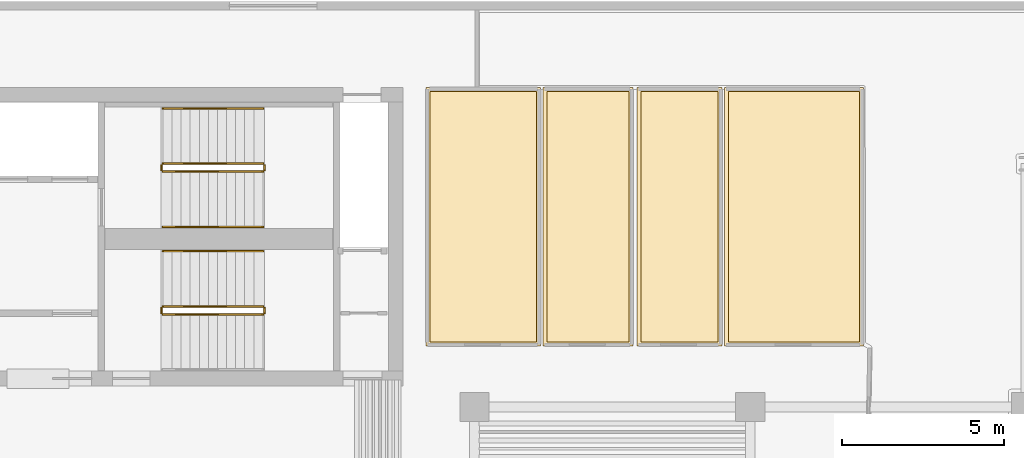
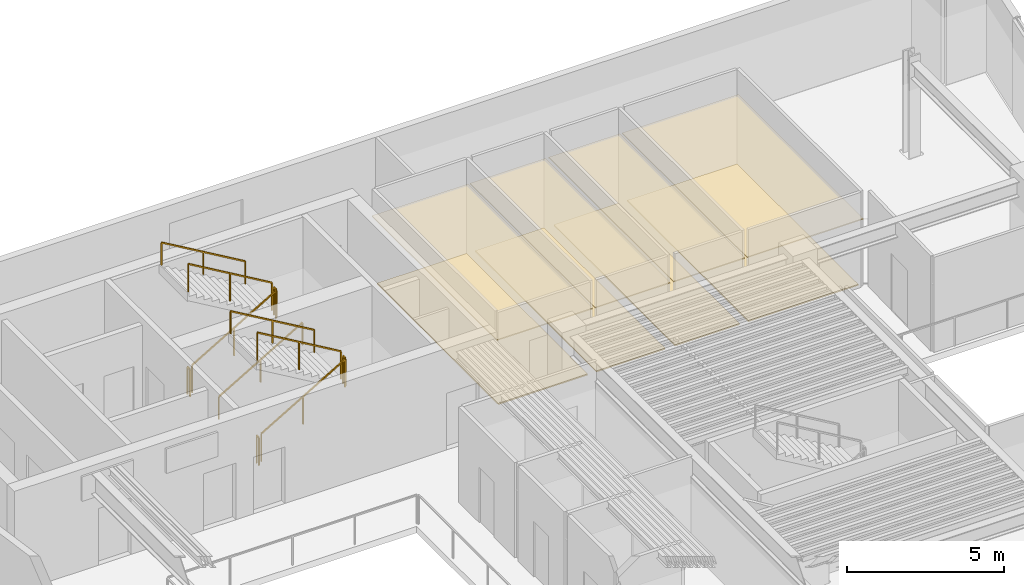
# One storey, part 9 of 10: 11 railings, 8 coverings.
"""IFC4 building model written with IfcOpenShell, lengths in metres."""

from ifc_helpers import new_model, si_unit, direction, frame, origin, origin_2d, place, context, subcontext, project, spatial, polyline, rectangle, outline, extrude, material, layer, layer_set, type_object, element, save


model = new_model("IFC4")

# Units and contexts
model_context = context("Model", 3, precision=1e-05, world=origin(), true_north=direction((0.0, 1.0)))
body_context = subcontext(model_context, "Body", "Model", "MODEL_VIEW")
ifc_project = project(units=[si_unit("LENGTHUNIT", "METRE"), si_unit("AREAUNIT", "SQUARE_METRE"), si_unit("VOLUMEUNIT", "CUBIC_METRE"), si_unit("PLANEANGLEUNIT", "RADIAN"), si_unit("MASSUNIT", "GRAM", prefix="KILO")], contexts=[model_context])

# Site, building, storey
site_placement = place(None, origin())
site = spatial("IfcSite", under=ifc_project, at=site_placement, CompositionType="ELEMENT")
building_placement = place(site_placement, origin())
building = spatial("IfcBuilding", under=site, at=building_placement, Name="Caeloran Harvest Quay", CompositionType="ELEMENT")
storey_placement = place(building_placement, frame((0.0, 0.0, 187.699951171875)))
storey = spatial("IfcBuildingStorey", under=building, at=storey_placement, Name="L44", CompositionType="ELEMENT", Elevation=187.699951171875)

# Coverings
ifc_material_1 = material(Name="Perforated Mineral-Fibre Acoustic Ceiling Tile", Category="ceiling")
ifc_layer_1 = layer(ifc_material_1, 0.0400390625, Name="Perforated Mineral-Fibre Acoustic Ceiling Tile")
ifc_layer_set_1 = layer_set([ifc_layer_1], Name="Perforated Mineral-Fibre Acoustic Ceiling Tile")
covering_type_1 = type_object("IfcCoveringType", Name="COV-CEILING-ACOUSTIC", PredefinedType="CEILING", material=ifc_layer_set_1)
covering_1_placement = place(storey_placement, frame((0.0, 0.0, 2.60009765625)))
element("IfcCovering", 1, at=covering_1_placement, inside=storey, type_object=covering_type_1, Name="L44 Bioinformatics Briefing Lounge Acoustic Ceiling", PredefinedType="CEILING", context=body_context, shape_type="SweptSolid", body=[
    extrude(outline(polyline([(27.5400390625, 40.840087890625), (27.5400390625, 32.8798828125), (24.010009765625, 32.8798828125), (24.010009765625, 40.840087890625), (27.5400390625, 40.840087890625)])), origin(), (0.0, 0.0, 1.0), 0.0400390625),
])
covering_2_placement = place(storey_placement, frame((0.0, 0.0, 2.60009765625)))
element("IfcCovering", 2, at=covering_2_placement, inside=storey, type_object=covering_type_1, Name="L44 Seed Imaging Laboratory Acoustic Ceiling", PredefinedType="CEILING", context=body_context, shape_type="SweptSolid", body=[
    extrude(outline(polyline([(30.389892578125, 40.840087890625), (30.389892578125, 32.8798828125), (27.6201171875, 32.8798828125), (27.6201171875, 40.840087890625), (30.389892578125, 40.840087890625)])), origin(), (0.0, 0.0, 1.0), 0.0400390625),
])
covering_3_placement = place(storey_placement, frame((0.0, 0.0, 2.60009765625)))
element("IfcCovering", 3, at=covering_3_placement, inside=storey, type_object=covering_type_1, Name="L44 Genomics Seminar West Room Acoustic Ceiling", PredefinedType="CEILING", context=body_context, shape_type="SweptSolid", body=[
    extrude(outline(polyline([(33.1298828125, 40.840087890625), (33.1298828125, 32.8798828125), (30.510009765625, 32.8798828125), (30.510009765625, 40.840087890625), (33.1298828125, 40.840087890625)])), origin(), (0.0, 0.0, 1.0), 0.0400390625),
])
covering_4_placement = place(storey_placement, frame((0.0, 0.0, 2.60009765625)))
element("IfcCovering", 4, at=covering_4_placement, inside=storey, type_object=covering_type_1, Name="L44 Executive Archive East Studio Acoustic Ceiling", PredefinedType="CEILING", context=body_context, shape_type="SweptSolid", body=[
    extrude(outline(polyline([(37.489990234375, 40.840087890625), (37.489990234375, 32.8798828125), (33.2099609375, 32.8798828125), (33.2099609375, 40.840087890625), (37.489990234375, 40.840087890625)])), origin(), (0.0, 0.0, 1.0), 0.0400390625),
])
ifc_material_2 = material(Name="Calcium-Sulphate Raised Access Floor and Terrazzo Finish", Category="flooring")
ifc_layer_2 = layer(ifc_material_2, 0.050048828125, Name="Calcium-Sulphate Raised Access Floor and Terrazzo Finish")
ifc_layer_set_2 = layer_set([ifc_layer_2], Name="Calcium-Sulphate Raised Access Floor and Terrazzo Finish")
covering_type_2 = type_object("IfcCoveringType", Name="COV-FLOOR-RAISED", PredefinedType="FLOORING", material=ifc_layer_set_2)
covering_5_placement = place(storey_placement, origin())
element("IfcCovering", 5, at=covering_5_placement, inside=storey, type_object=covering_type_2, Name="L44 Bioinformatics Briefing Lounge Raised Finish Flooring", PredefinedType="FLOORING", context=body_context, shape_type="SweptSolid", body=[
    extrude(outline(polyline([(27.419921875, 40.719970703125), (27.419921875, 33.0), (24.1298828125, 33.0), (24.1298828125, 40.719970703125), (27.419921875, 40.719970703125)])), origin(), (0.0, 0.0, 1.0), 0.050048828125),
])
covering_6_placement = place(storey_placement, origin())
element("IfcCovering", 6, at=covering_6_placement, inside=storey, type_object=covering_type_2, Name="L44 Seed Imaging Laboratory Raised Finish Flooring", PredefinedType="FLOORING", context=body_context, shape_type="SweptSolid", body=[
    extrude(outline(polyline([(30.27001953125, 40.719970703125), (30.27001953125, 33.0), (27.739990234375, 33.0), (27.739990234375, 40.719970703125), (30.27001953125, 40.719970703125)])), origin(), (0.0, 0.0, 1.0), 0.050048828125),
])
covering_7_placement = place(storey_placement, origin())
element("IfcCovering", 7, at=covering_7_placement, inside=storey, type_object=covering_type_2, Name="L44 Genomics Seminar West Room Raised Finish Flooring", PredefinedType="FLOORING", context=body_context, shape_type="SweptSolid", body=[
    extrude(outline(polyline([(33.010009765625, 40.719970703125), (33.010009765625, 33.0), (30.6298828125, 33.0), (30.6298828125, 40.719970703125), (33.010009765625, 40.719970703125)])), origin(), (0.0, 0.0, 1.0), 0.050048828125),
])
covering_8_placement = place(storey_placement, origin())
element("IfcCovering", 8, at=covering_8_placement, inside=storey, type_object=covering_type_2, Name="L44 Executive Archive East Studio Raised Finish Flooring", PredefinedType="FLOORING", context=body_context, shape_type="SweptSolid", body=[
    extrude(outline(polyline([(37.3701171875, 40.719970703125), (37.3701171875, 33.0), (33.330078125, 33.0), (33.330078125, 40.719970703125), (37.3701171875, 40.719970703125)])), origin(), (0.0, 0.0, 1.0), 0.050048828125),
])

# Railings
ifc_material_3 = material(Name="Painted Steel Baluster and Top-Rail Stair Guard", Category="steel")
ifc_layer_3 = layer(ifc_material_3, 0.050048828125, Name="Painted Steel Baluster and Top-Rail Stair Guard")
ifc_layer_set_3 = layer_set([ifc_layer_3], Name="Painted Steel Baluster and Top-Rail Stair Guard")
railing_type_1 = type_object("IfcRailingType", Name="STAIR-GUARD-1100", PredefinedType="GUARDRAIL", material=ifc_layer_set_3)
railing_1_placement = place(storey_placement, frame((15.89990234375, 38.25, 0.16455078125)))
element("IfcRailing", 9, at=railing_1_placement, inside=storey, type_object=railing_type_1, Name="L44 ST-C1 stair guard 1", PredefinedType="GUARDRAIL", context=body_context, shape_type="SweptSolid", body=[
    extrude(rectangle(XDim=0.048095703125, YDim=0.048095703125, at=origin_2d()), frame((0.0, 0.0, 1.076171875), z_axis=(0.862088758681, 0.0, 0.506757310905), x_axis=(0.0, 1.0, 0.0)), (0.0, 0.0, 1.0), 3.57275390625),
    extrude(rectangle(XDim=0.0419921875, YDim=0.0419921875, at=origin_2d()), origin(), (0.0, 0.0, 1.0), 1.052001953125),
    extrude(rectangle(XDim=0.0419921875, YDim=0.0419921875, at=origin_2d()), frame((1.5400390625, 0.0, 0.9052734375)), (0.0, 0.0, 1.0), 1.052001953125),
    extrude(rectangle(XDim=0.0419921875, YDim=0.0419921875, at=origin_2d()), frame((3.080078125, 0.0, 1.810546875)), (0.0, 0.0, 1.0), 1.052001953125),
])
railing_2_placement = place(storey_placement, frame((19.030029296875, 38.300048828125, 1.97509765625)))
element("IfcRailing", 10, at=railing_2_placement, inside=storey, type_object=railing_type_1, Name="L44 ST-C1 stair guard 2", PredefinedType="GUARDRAIL", context=body_context, shape_type="SweptSolid", body=[
    extrude(rectangle(XDim=0.048095703125, YDim=0.048095703125, at=origin_2d()), frame((0.0, 0.0, 1.076171875), z_axis=(0.0, 1.0, 0.0), x_axis=(-1.0, 0.0, 0.0)), (0.0, 0.0, 1.0), 0.14990234375),
    extrude(rectangle(XDim=0.0419921875, YDim=0.0419921875, at=origin_2d()), origin(), (0.0, 0.0, 1.0), 1.052001953125),
    extrude(rectangle(XDim=0.0419921875, YDim=0.0419921875, at=origin_2d()), frame((0.0, 0.14990234375, 0.0)), (0.0, 0.0, 1.0), 1.052001953125),
])
railing_3_placement = place(storey_placement, frame((18.97998046875, 38.5, 2.1396484375)))
element("IfcRailing", 11, at=railing_3_placement, inside=storey, type_object=railing_type_1, Name="L44 ST-C1 stair guard 3", PredefinedType="GUARDRAIL", context=body_context, shape_type="SweptSolid", body=[
    extrude(rectangle(XDim=0.048095703125, YDim=0.048095703125, at=origin_2d()), frame((0.0, 0.0, 1.076171875), z_axis=(-0.862118610829, 0.0, 0.506706523406), x_axis=(0.0, -1.0, 0.0)), (0.0, 0.0, 1.0), 3.57275390625),
    extrude(rectangle(XDim=0.0419921875, YDim=0.0419921875, at=origin_2d()), origin(), (0.0, 0.0, 1.0), 1.052001953125),
    extrude(rectangle(XDim=0.0419921875, YDim=0.0419921875, at=origin_2d()), frame((-1.5400390625, 0.0, 0.9052734375)), (0.0, 0.0, 1.0), 1.052001953125),
    extrude(rectangle(XDim=0.0419921875, YDim=0.0419921875, at=origin_2d()), frame((-3.080078125, 0.0, 1.810302734375)), (0.0, 0.0, 1.0), 1.052001953125),
])
railing_4_placement = place(storey_placement, frame((15.85009765625, 38.300048828125, 0.0)))
element("IfcRailing", 12, at=railing_4_placement, inside=storey, type_object=railing_type_1, Name="L44 ST-C1 stair guard 4", PredefinedType="GUARDRAIL", context=body_context, shape_type="SweptSolid", body=[
    extrude(rectangle(XDim=0.048095703125, YDim=0.048095703125, at=origin_2d()), frame((0.0, 0.0, 1.076171875), z_axis=(0.0, 1.0, 0.0), x_axis=(-1.0, 0.0, 0.0)), (0.0, 0.0, 1.0), 0.14990234375),
    extrude(rectangle(XDim=0.0419921875, YDim=0.0419921875, at=origin_2d()), origin(), (0.0, 0.0, 1.0), 1.052001953125),
    extrude(rectangle(XDim=0.0419921875, YDim=0.0419921875, at=origin_2d()), frame((0.0, 0.14990234375, 0.0)), (0.0, 0.0, 1.0), 1.052001953125),
])
railing_5_placement = place(storey_placement, frame((15.89990234375, 33.85009765625, 0.16455078125)))
element("IfcRailing", 13, at=railing_5_placement, inside=storey, type_object=railing_type_1, Name="L44 ST-C2 stair guard 1", PredefinedType="GUARDRAIL", context=body_context, shape_type="SweptSolid", body=[
    extrude(rectangle(XDim=0.048095703125, YDim=0.048095703125, at=origin_2d()), frame((0.0, 0.0, 1.076171875), z_axis=(0.862088758681, 0.0, 0.506757310905), x_axis=(0.0, 1.0, 0.0)), (0.0, 0.0, 1.0), 3.57275390625),
    extrude(rectangle(XDim=0.0419921875, YDim=0.0419921875, at=origin_2d()), origin(), (0.0, 0.0, 1.0), 1.052001953125),
    extrude(rectangle(XDim=0.0419921875, YDim=0.0419921875, at=origin_2d()), frame((1.5400390625, 0.0, 0.9052734375)), (0.0, 0.0, 1.0), 1.052001953125),
    extrude(rectangle(XDim=0.0419921875, YDim=0.0419921875, at=origin_2d()), frame((3.080078125, 0.0, 1.810546875)), (0.0, 0.0, 1.0), 1.052001953125),
])
railing_6_placement = place(storey_placement, frame((19.030029296875, 33.89990234375, 1.97509765625)))
element("IfcRailing", 14, at=railing_6_placement, inside=storey, type_object=railing_type_1, Name="L44 ST-C2 stair guard 2", PredefinedType="GUARDRAIL", context=body_context, shape_type="SweptSolid", body=[
    extrude(rectangle(XDim=0.048095703125, YDim=0.048095703125, at=origin_2d()), frame((0.0, 0.0, 1.076171875), z_axis=(0.0, 1.0, 0.0), x_axis=(-1.0, 0.0, 0.0)), (0.0, 0.0, 1.0), 0.150146484375),
    extrude(rectangle(XDim=0.0419921875, YDim=0.0419921875, at=origin_2d()), origin(), (0.0, 0.0, 1.0), 1.052001953125),
    extrude(rectangle(XDim=0.0419921875, YDim=0.0419921875, at=origin_2d()), frame((0.0, 0.150146484375, 0.0)), (0.0, 0.0, 1.0), 1.052001953125),
])
railing_7_placement = place(storey_placement, frame((18.97998046875, 34.10009765625, 2.1396484375)))
element("IfcRailing", 15, at=railing_7_placement, inside=storey, type_object=railing_type_1, Name="L44 ST-C2 stair guard 3", PredefinedType="GUARDRAIL", context=body_context, shape_type="SweptSolid", body=[
    extrude(rectangle(XDim=0.048095703125, YDim=0.048095703125, at=origin_2d()), frame((0.0, 0.0, 1.076171875), z_axis=(-0.862118610829, 0.0, 0.506706523406), x_axis=(0.0, -1.0, 0.0)), (0.0, 0.0, 1.0), 3.57275390625),
    extrude(rectangle(XDim=0.0419921875, YDim=0.0419921875, at=origin_2d()), origin(), (0.0, 0.0, 1.0), 1.052001953125),
    extrude(rectangle(XDim=0.0419921875, YDim=0.0419921875, at=origin_2d()), frame((-1.5400390625, 0.0, 0.9052734375)), (0.0, 0.0, 1.0), 1.052001953125),
    extrude(rectangle(XDim=0.0419921875, YDim=0.0419921875, at=origin_2d()), frame((-3.080078125, 0.0, 1.810302734375)), (0.0, 0.0, 1.0), 1.052001953125),
])
railing_8_placement = place(storey_placement, frame((15.85009765625, 33.89990234375, 0.0)))
element("IfcRailing", 16, at=railing_8_placement, inside=storey, type_object=railing_type_1, Name="L44 ST-C2 stair guard 4", PredefinedType="GUARDRAIL", context=body_context, shape_type="SweptSolid", body=[
    extrude(rectangle(XDim=0.048095703125, YDim=0.048095703125, at=origin_2d()), frame((0.0, 0.0, 1.076171875), z_axis=(0.0, 1.0, 0.0), x_axis=(-1.0, 0.0, 0.0)), (0.0, 0.0, 1.0), 0.150146484375),
    extrude(rectangle(XDim=0.0419921875, YDim=0.0419921875, at=origin_2d()), origin(), (0.0, 0.0, 1.0), 1.052001953125),
    extrude(rectangle(XDim=0.0419921875, YDim=0.0419921875, at=origin_2d()), frame((0.0, 0.150146484375, 0.0)), (0.0, 0.0, 1.0), 1.052001953125),
])
ifc_material_4 = material(Name="Brushed Stainless Steel Grade 304", Category="steel")
ifc_layer_4 = layer(ifc_material_4, 0.050048828125, Name="Brushed Stainless Steel Grade 304")
ifc_layer_set_4 = layer_set([ifc_layer_4], Name="Brushed Stainless Steel Grade 304")
railing_type_2 = type_object("IfcRailingType", Name="STAIR-HANDRAIL-900", PredefinedType="HANDRAIL", material=ifc_layer_set_4)
railing_9_placement = place(storey_placement, frame((15.89990234375, 36.550048828125, 0.16455078125)))
element("IfcRailing", 17, at=railing_9_placement, inside=storey, type_object=railing_type_2, Name="L44 ST-C1 stair handrail 1", PredefinedType="HANDRAIL", context=body_context, shape_type="SweptSolid", body=[
    extrude(rectangle(XDim=0.048095703125, YDim=0.048095703125, at=origin_2d()), frame((0.0, 0.0, 0.8759765625), z_axis=(0.862088758681, 0.0, 0.506757310905), x_axis=(0.0, 1.0, 0.0)), (0.0, 0.0, 1.0), 3.57275390625),
    extrude(rectangle(XDim=0.0419921875, YDim=0.0419921875, at=origin_2d()), origin(), (0.0, 0.0, 1.0), 0.851806640625),
    extrude(rectangle(XDim=0.0419921875, YDim=0.0419921875, at=origin_2d()), frame((1.5400390625, 0.0, 0.9052734375)), (0.0, 0.0, 1.0), 0.851806640625),
    extrude(rectangle(XDim=0.0419921875, YDim=0.0419921875, at=origin_2d()), frame((3.080078125, 0.0, 1.810546875)), (0.0, 0.0, 1.0), 0.851806640625),
])
for number, where, name in (
    (18, (18.97998046875, 40.199951171875, 2.1396484375), "L44 ST-C1 stair handrail 2"),
    (19, (18.97998046875, 35.800048828125, 2.1396484375), "L44 ST-C2 stair handrail 2"),
):
    element("IfcRailing", number, at=place(storey_placement, frame(where)), inside=storey, type_object=railing_type_2, Name=name, PredefinedType="HANDRAIL", context=body_context, shape_type="SweptSolid", body=[
        extrude(rectangle(XDim=0.048095703125, YDim=0.048095703125, at=origin_2d()), frame((0.0, 0.0, 0.8759765625), z_axis=(-0.862118610829, 0.0, 0.506706523406), x_axis=(0.0, -1.0, 0.0)), (0.0, 0.0, 1.0), 3.57275390625),
        extrude(rectangle(XDim=0.0419921875, YDim=0.0419921875, at=origin_2d()), origin(), (0.0, 0.0, 1.0), 0.851806640625),
        extrude(rectangle(XDim=0.0419921875, YDim=0.0419921875, at=origin_2d()), frame((-1.5400390625, 0.0, 0.9052734375)), (0.0, 0.0, 1.0), 0.851806640625),
        extrude(rectangle(XDim=0.0419921875, YDim=0.0419921875, at=origin_2d()), frame((-3.080078125, 0.0, 1.810302734375)), (0.0, 0.0, 1.0), 0.851806640625),
    ])

save(model, "model.ifc")
